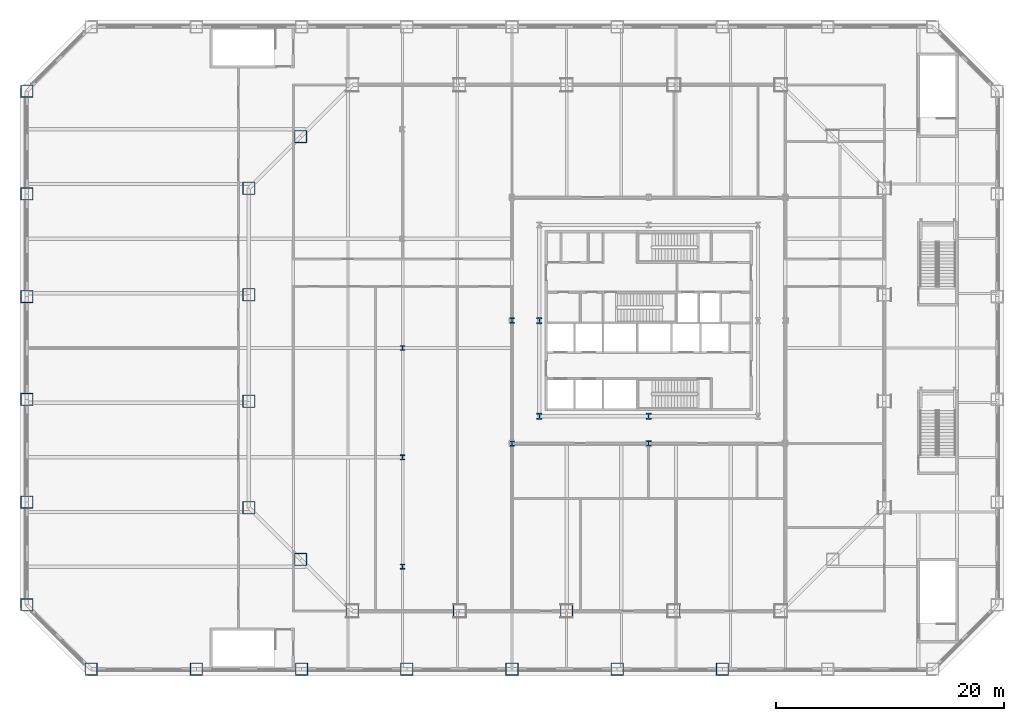
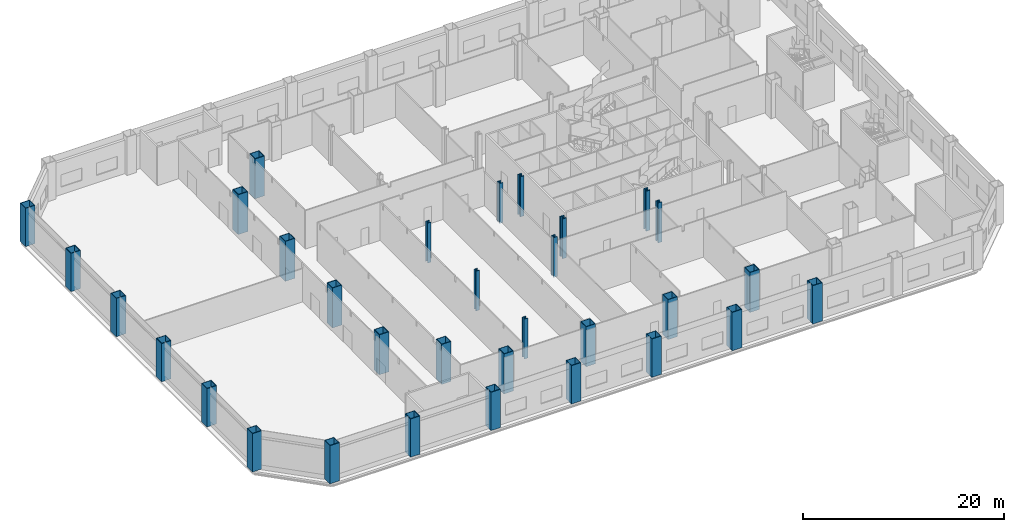
# One storey, part 1 of 22: 32 columns.
"""IFC4 building model written with IfcOpenShell, lengths in metres."""

from ifc_helpers import new_model, si_unit, direction, frame, origin, origin_2d, place, context, subcontext, project, spatial, hollow_rectangle, i_section, extrude, material, material_profile, profile_set, type_object, element, save


model = new_model("IFC4")

# Units and contexts
model_context = context("Model", 3, precision=1e-05, world=origin(), true_north=direction((0.0, 1.0)))
body_context = subcontext(model_context, "Body", "Model", "MODEL_VIEW")
ifc_project = project(units=[si_unit("LENGTHUNIT", "METRE"), si_unit("AREAUNIT", "SQUARE_METRE"), si_unit("VOLUMEUNIT", "CUBIC_METRE"), si_unit("PLANEANGLEUNIT", "RADIAN"), si_unit("MASSUNIT", "GRAM", prefix="KILO")], contexts=[model_context])

# Site, building, storey
site_placement = place(None, origin())
site = spatial("IfcSite", under=ifc_project, at=site_placement, CompositionType="ELEMENT")
building_placement = place(site_placement, origin())
building = spatial("IfcBuilding", under=site, at=building_placement, Name="Cairn Pilgrim Tower", CompositionType="ELEMENT")
storey_placement = place(building_placement, frame((0.0, 0.0, 35.39990234375)))
storey = spatial("IfcBuildingStorey", under=building, at=storey_placement, Name="L06", CompositionType="ELEMENT", Elevation=35.39990234375)

# Columns
ifc_material = material(Name="Structural steel S460M", Category="steel")
ifc_material_profile_1 = material_profile(ifc_material, hollow_rectangle(XDim=1.10009765625, YDim=1.10009765625, WallThickness=0.06005859375, at=origin_2d()), Name="BOX 1100x1100x60")
ifc_profile_set_1 = profile_set([ifc_material_profile_1], Name="Structural steel S460M")
column_type_1 = type_object("IfcColumnType", Name="BOX 1100x1100x60", PredefinedType="COLUMN", material=ifc_profile_set_1)
for number, where, z_axis, x_axis, name in (
    (1, (-18.8271484375, -23.10009765625, -0.199951171875), (0.0, 0.0, 1.0), (1.0, 0.0, 0.0), "PC1-S1"),
    (2, (-9.41357421875, -23.10009765625, -0.199951171875), (0.0, 0.0, 1.0), (1.0, 0.0, 0.0), "PC1-S2"),
    (3, (0.0, -23.10009765625, -0.199951171875), (0.0, 0.0, 1.0), (1.0, 0.0, 0.0), "PC1-S3"),
    (4, (9.41357421875, -23.10009765625, -0.199951171875), (0.0, 0.0, 1.0), (1.0, 0.0, 0.0), "PC1-S4"),
    (5, (-23.363525390625, 18.563720703125, -0.199951171875), (0.0, 0.0, 1.0), (1.0, 0.0, 0.0), "PC1-NW2"),
    (6, (-27.89990234375, 14.027099609375, -0.199951171875), (0.0, 0.0, 1.0), (1.0, 0.0, 0.0), "PC1-W1"),
    (7, (-27.89990234375, 4.67578125, -0.199951171875), (0.0, 0.0, 1.0), (1.0, 0.0, 0.0), "PC1-W2"),
    (8, (-27.89990234375, -4.67578125, -0.199951171875), (0.0, 0.0, 1.0), (1.0, 0.0, 0.0), "PC1-W3"),
    (9, (-27.89990234375, -14.027099609375, -0.199951171875), (0.0, 0.0, 1.0), (1.0, 0.0, 0.0), "PC1-SW1"),
    (10, (-23.363525390625, -18.563720703125, -0.199951171875), (0.0, 0.0, 1.0), (1.0, 0.0, 0.0), "PC1-SW2"),
):
    element("IfcColumn", number, at=place(storey_placement, frame(where, z_axis=z_axis, x_axis=x_axis)), inside=storey, type_object=column_type_1, Name=name, PredefinedType="COLUMN", context=body_context, shape_type="SweptSolid", body=[
        extrude(hollow_rectangle(XDim=1.10009765625, YDim=1.10009765625, WallThickness=0.06005859375, at=origin_2d()), origin(), (0.0, 0.0, 1.0), 4.85009765625),
    ])
ifc_material_profile_2 = material_profile(ifc_material, i_section(OverallWidth=0.4541015625, OverallDepth=0.569091796875, WebThickness=0.077880859375, FlangeThickness=0.125, FilletRadius=0.014892578125, at=origin_2d()), Name="HD 400x1086")
ifc_profile_set_2 = profile_set([ifc_material_profile_2], Name="Structural steel S460M")
column_type_2 = type_object("IfcColumnType", Name="HD 400x1086", PredefinedType="COLUMN", material=ifc_profile_set_2)
for number, where, z_axis, x_axis, name in (
    (11, (-2.39990234375, -6.0, -0.199951171875), (0.0, 0.0, 1.0), (1.0, 0.0, 0.0), "KC-1"),
    (12, (7.199951171875, -6.0, -0.199951171875), (0.0, 0.0, 1.0), (1.0, 0.0, 0.0), "KC-2"),
    (13, (-2.39990234375, 2.39990234375, -0.199951171875), (0.0, 0.0, 1.0), (1.0, 0.0, 0.0), "KC-4"),
):
    element("IfcColumn", number, at=place(storey_placement, frame(where, z_axis=z_axis, x_axis=x_axis)), inside=storey, type_object=column_type_2, Name=name, PredefinedType="COLUMN", context=body_context, shape_type="SweptSolid", body=[
        extrude(i_section(OverallWidth=0.4541015625, OverallDepth=0.569091796875, WebThickness=0.077880859375, FlangeThickness=0.125, FilletRadius=0.014892578125, at=origin_2d()), origin(), (0.0, 0.0, 1.0), 4.85009765625),
    ])
ifc_material_profile_3 = material_profile(ifc_material, i_section(OverallWidth=0.408935546875, OverallDepth=0.425048828125, WebThickness=0.03271484375, FlangeThickness=0.052490234375, FilletRadius=0.014892578125, at=origin_2d()), Name="HD 400x421")
ifc_profile_set_3 = profile_set([ifc_material_profile_3], Name="Structural steel S460M")
column_type_3 = type_object("IfcColumnType", Name="HD 400x421", PredefinedType="COLUMN", material=ifc_profile_set_3)
for number, where, z_axis, x_axis, name in (
    (14, (-14.39990234375, -19.199951171875, -0.199951171875), (0.0, 0.0, 1.0), (1.0, 0.0, 0.0), "WC-WW-4"),
    (15, (-14.39990234375, -9.60009765625, -0.199951171875), (0.0, 0.0, 1.0), (1.0, 0.0, 0.0), "WC-WW-2"),
    (16, (-14.39990234375, 0.0, -0.199951171875), (0.0, 0.0, 1.0), (1.0, 0.0, 0.0), "WC-WW+0"),
):
    element("IfcColumn", number, at=place(storey_placement, frame(where, z_axis=z_axis, x_axis=x_axis)), inside=storey, type_object=column_type_3, Name=name, PredefinedType="COLUMN", context=body_context, shape_type="SweptSolid", body=[
        extrude(i_section(OverallWidth=0.408935546875, OverallDepth=0.425048828125, WebThickness=0.03271484375, FlangeThickness=0.052490234375, FilletRadius=0.014892578125, at=origin_2d()), origin(), (0.0, 0.0, 1.0), 4.85009765625),
    ])
ifc_material_profile_4 = material_profile(ifc_material, i_section(OverallWidth=0.424072265625, OverallDepth=0.47412109375, WebThickness=0.047607421875, FlangeThickness=0.0771484375, FilletRadius=0.014892578125, at=origin_2d()), Name="HD 400x634")
ifc_profile_set_4 = profile_set([ifc_material_profile_4], Name="Structural steel S460M")
column_type_4 = type_object("IfcColumnType", Name="HD 400x634", PredefinedType="COLUMN", material=ifc_profile_set_4)
for number, where, z_axis, x_axis, name in (
    (17, (-4.800048828125, -8.39990234375, -0.199951171875), (0.0, 0.0, 1.0), (1.0, 0.0, 0.0), "IC-1"),
    (18, (7.199951171875, -8.39990234375, -0.199951171875), (0.0, 0.0, 1.0), (1.0, 0.0, 0.0), "IC-2"),
    (19, (-4.800048828125, 2.39990234375, -0.199951171875), (0.0, 0.0, 1.0), (1.0, 0.0, 0.0), "IC-4"),
):
    element("IfcColumn", number, at=place(storey_placement, frame(where, z_axis=z_axis, x_axis=x_axis)), inside=storey, type_object=column_type_4, Name=name, PredefinedType="COLUMN", context=body_context, shape_type="SweptSolid", body=[
        extrude(i_section(OverallWidth=0.424072265625, OverallDepth=0.47412109375, WebThickness=0.047607421875, FlangeThickness=0.0771484375, FilletRadius=0.014892578125, at=origin_2d()), origin(), (0.0, 0.0, 1.0), 4.85009765625),
    ])
ifc_material_profile_5 = material_profile(ifc_material, hollow_rectangle(XDim=1.10009765625, YDim=1.10009765625, WallThickness=0.06005859375, at=origin_2d()), Name="BOX 1100x1100x60")
ifc_profile_set_5 = profile_set([ifc_material_profile_5], Name="Structural steel S460M")
column_type_5 = type_object("IfcColumnType", Name="PILOTIS CFT 1100", PredefinedType="COLUMN", material=ifc_profile_set_5)
for number, where, z_axis, x_axis, name in (
    (20, (-41.75146484375, -28.199951171875, 0.0), (0.0, 0.0, 1.0), (1.0, 0.0, 0.0), "PILOTIS PL-S1"),
    (21, (-32.513671875, -28.199951171875, 0.0), (0.0, 0.0, 1.0), (1.0, 0.0, 0.0), "PILOTIS PL-S2"),
    (22, (-23.275634765625, -28.199951171875, 0.0), (0.0, 0.0, 1.0), (1.0, 0.0, 0.0), "PILOTIS PL-S3"),
    (23, (-14.037841796875, -28.199951171875, 0.0), (0.0, 0.0, 1.0), (1.0, 0.0, 0.0), "PILOTIS PL-S4"),
    (24, (-4.800048828125, -28.199951171875, 0.0), (0.0, 0.0, 1.0), (1.0, 0.0, 0.0), "PILOTIS PL-S5"),
    (25, (4.43798828125, -28.199951171875, 0.0), (0.0, 0.0, 1.0), (1.0, 0.0, 0.0), "PILOTIS PL-S6"),
    (26, (13.67578125, -28.199951171875, 0.0), (0.0, 0.0, 1.0), (1.0, 0.0, 0.0), "PILOTIS PL-S7"),
    (27, (-47.39990234375, 22.551513671875, 0.0), (0.0, 0.0, 1.0), (1.0, 0.0, 0.0), "PILOTIS PL-W1"),
    (28, (-47.39990234375, 13.531005859375, 0.0), (0.0, 0.0, 1.0), (1.0, 0.0, 0.0), "PILOTIS PL-W2"),
    (29, (-47.39990234375, 4.51025390625, 0.0), (0.0, 0.0, 1.0), (1.0, 0.0, 0.0), "PILOTIS PL-W3"),
    (30, (-47.39990234375, -4.51025390625, 0.0), (0.0, 0.0, 1.0), (1.0, 0.0, 0.0), "PILOTIS PL-W4"),
    (31, (-47.39990234375, -13.531005859375, 0.0), (0.0, 0.0, 1.0), (1.0, 0.0, 0.0), "PILOTIS PL-W5"),
    (32, (-47.39990234375, -22.551513671875, 0.0), (0.0, 0.0, 1.0), (1.0, 0.0, 0.0), "PILOTIS PL-SW1"),
):
    element("IfcColumn", number, at=place(storey_placement, frame(where, z_axis=z_axis, x_axis=x_axis)), inside=storey, type_object=column_type_5, Name=name, PredefinedType="COLUMN", context=body_context, shape_type="SweptSolid", body=[
        extrude(hollow_rectangle(XDim=1.10009765625, YDim=1.10009765625, WallThickness=0.06005859375, at=origin_2d()), origin(), (0.0, 0.0, 1.0), 4.650146484375),
    ])

save(model, "model.ifc")
